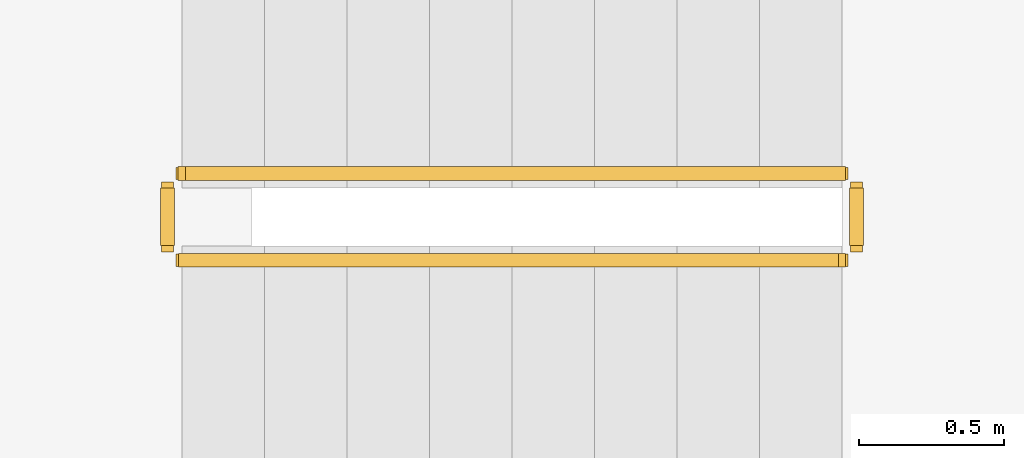
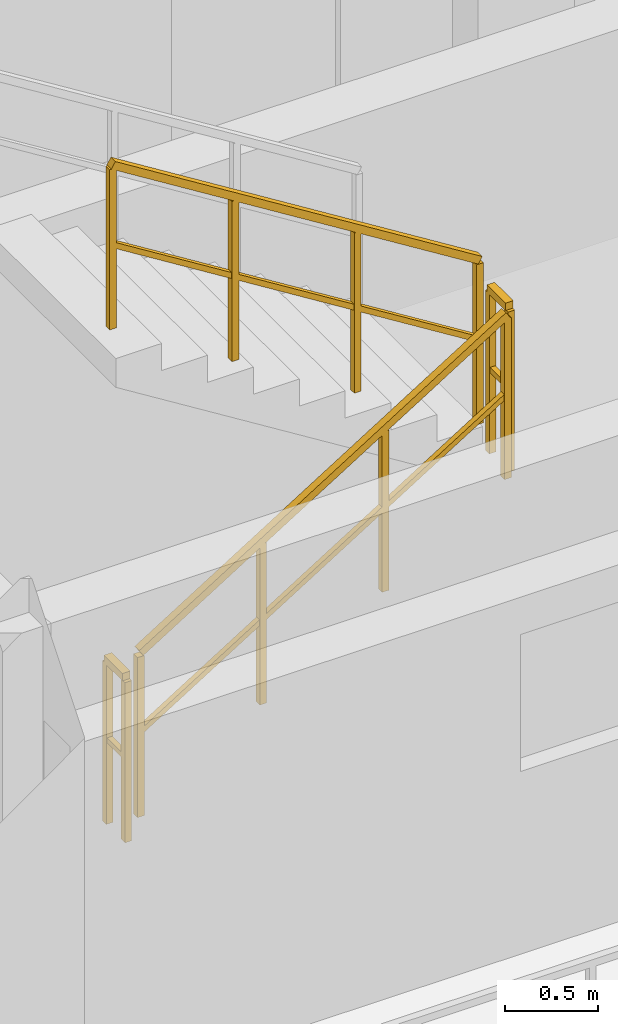
# One storey, part 155 of 157: 4 railings.
"""IFC4 building model written with IfcOpenShell, lengths in metres."""

from ifc_helpers import new_model, si_unit, direction, frame, origin, origin_2d, place, context, subcontext, project, spatial, rectangle, extrude, material, type_object, element, save


model = new_model("IFC4")

# Units and contexts
model_context = context("Model", 3, precision=1e-05, world=origin(), true_north=direction((0.0, 1.0)))
body_context = subcontext(model_context, "Body", "Model", "MODEL_VIEW")
ifc_project = project(units=[si_unit("LENGTHUNIT", "METRE"), si_unit("AREAUNIT", "SQUARE_METRE"), si_unit("VOLUMEUNIT", "CUBIC_METRE"), si_unit("PLANEANGLEUNIT", "RADIAN"), si_unit("MASSUNIT", "GRAM", prefix="KILO")], contexts=[model_context])

# Site, building, storey
site_placement = place(None, origin())
site = spatial("IfcSite", under=ifc_project, at=site_placement, CompositionType="ELEMENT")
building_placement = place(site_placement, origin())
building = spatial("IfcBuilding", under=site, at=building_placement, Name="Suanplinth Sawtooth Commons", CompositionType="ELEMENT")
storey_placement = place(building_placement, frame((0.0, 0.0, 9.0)))
storey = spatial("IfcBuildingStorey", under=building, at=storey_placement, Name="L02", CompositionType="ELEMENT", Elevation=9.0)

# Railings
ifc_material = material(Name="Stainless steel Grade 304", Category="steel")
railing_type = type_object("IfcRailingType", Name="GR-04", PredefinedType="GUARDRAIL", material=ifc_material)
railing_1_placement = place(storey_placement, frame((138.64990234375, 109.800048828125, 0.177734375)))
element("IfcRailing", 1, at=railing_1_placement, inside=storey, type_object=railing_type, Name="L02 ST-E1 Guard 1", PredefinedType="GUARDRAIL", context=body_context, shape_type="SweptSolid", body=[
    extrude(rectangle(XDim=0.048095703125, YDim=0.048095703125, at=origin_2d()), frame((0.0, 0.0, 1.076171875), z_axis=(0.848442045328, 0.0, 0.529288291689), x_axis=(0.0, 1.0, 0.0)), (0.0, 0.0, 1.0), 2.687255859375),
    extrude(rectangle(XDim=0.03369140625, YDim=0.03369140625, at=origin_2d()), frame((0.0, 0.0, 0.550048828125), z_axis=(0.848442045328, 0.0, 0.529288291689), x_axis=(0.0, 1.0, 0.0)), (0.0, 0.0, 1.0), 2.687255859375),
    extrude(rectangle(XDim=0.0419921875, YDim=0.0419921875, at=origin_2d()), origin(), (0.0, 0.0, 1.0), 1.052001953125),
    extrude(rectangle(XDim=0.0419921875, YDim=0.0419921875, at=origin_2d()), frame((0.760009765625, 0.0, 0.47412109375)), (0.0, 0.0, 1.0), 1.052001953125),
    extrude(rectangle(XDim=0.0419921875, YDim=0.0419921875, at=origin_2d()), frame((1.52001953125, 0.0, 0.9482421875)), (0.0, 0.0, 1.0), 1.052001953125),
    extrude(rectangle(XDim=0.0419921875, YDim=0.0419921875, at=origin_2d()), frame((2.280029296875, 0.0, 1.42236328125)), (0.0, 0.0, 1.0), 1.052001953125),
])
railing_2_placement = place(storey_placement, frame((140.97998046875, 109.85009765625, 1.60009765625)))
element("IfcRailing", 2, at=railing_2_placement, inside=storey, type_object=railing_type, Name="L02 ST-E1 Guard 2", PredefinedType="GUARDRAIL", context=body_context, shape_type="SweptSolid", body=[
    extrude(rectangle(XDim=0.048095703125, YDim=0.048095703125, at=origin_2d()), frame((0.0, 0.0, 1.076171875), z_axis=(0.0, 1.0, 0.0), x_axis=(-1.0, 0.0, 0.0)), (0.0, 0.0, 1.0), 0.199951171875),
    extrude(rectangle(XDim=0.03369140625, YDim=0.03369140625, at=origin_2d()), frame((0.0, 0.0, 0.550048828125), z_axis=(0.0, 1.0, 0.0), x_axis=(-1.0, 0.0, 0.0)), (0.0, 0.0, 1.0), 0.199951171875),
    extrude(rectangle(XDim=0.0419921875, YDim=0.0419921875, at=origin_2d()), origin(), (0.0, 0.0, 1.0), 1.052001953125),
    extrude(rectangle(XDim=0.0419921875, YDim=0.0419921875, at=origin_2d()), frame((0.0, 0.199951171875, 0.0)), (0.0, 0.0, 1.0), 1.052001953125),
])
railing_3_placement = place(storey_placement, frame((140.929931640625, 110.10009765625, 1.77783203125)))
element("IfcRailing", 3, at=railing_3_placement, inside=storey, type_object=railing_type, Name="L02 ST-E1 Guard 3", PredefinedType="GUARDRAIL", context=body_context, shape_type="SweptSolid", body=[
    extrude(rectangle(XDim=0.048095703125, YDim=0.048095703125, at=origin_2d()), frame((0.0, 0.0, 1.076171875), z_axis=(-0.848482842525, 0.0, 0.529222888715), x_axis=(0.0, -1.0, 0.0)), (0.0, 0.0, 1.0), 2.687255859375),
    extrude(rectangle(XDim=0.03369140625, YDim=0.03369140625, at=origin_2d()), frame((0.0, 0.0, 0.550048828125), z_axis=(-0.848482842525, 0.0, 0.529222888715), x_axis=(0.0, -1.0, 0.0)), (0.0, 0.0, 1.0), 2.687255859375),
    extrude(rectangle(XDim=0.0419921875, YDim=0.0419921875, at=origin_2d()), origin(), (0.0, 0.0, 1.0), 1.052001953125),
    extrude(rectangle(XDim=0.0419921875, YDim=0.0419921875, at=origin_2d()), frame((-0.760009765625, 0.0, 0.47412109375)), (0.0, 0.0, 1.0), 1.052001953125),
    extrude(rectangle(XDim=0.0419921875, YDim=0.0419921875, at=origin_2d()), frame((-1.52001953125, 0.0, 0.947998046875)), (0.0, 0.0, 1.0), 1.052001953125),
    extrude(rectangle(XDim=0.0419921875, YDim=0.0419921875, at=origin_2d()), frame((-2.280029296875, 0.0, 1.422119140625)), (0.0, 0.0, 1.0), 1.052001953125),
])
railing_4_placement = place(storey_placement, frame((138.60009765625, 109.85009765625, 0.0)))
element("IfcRailing", 4, at=railing_4_placement, inside=storey, type_object=railing_type, Name="L02 ST-E1 Guard 4", PredefinedType="GUARDRAIL", context=body_context, shape_type="SweptSolid", body=[
    extrude(rectangle(XDim=0.048095703125, YDim=0.048095703125, at=origin_2d()), frame((0.0, 0.0, 1.076171875), z_axis=(0.0, 1.0, 0.0), x_axis=(-1.0, 0.0, 0.0)), (0.0, 0.0, 1.0), 0.199951171875),
    extrude(rectangle(XDim=0.03369140625, YDim=0.03369140625, at=origin_2d()), frame((0.0, 0.0, 0.550048828125), z_axis=(0.0, 1.0, 0.0), x_axis=(-1.0, 0.0, 0.0)), (0.0, 0.0, 1.0), 0.199951171875),
    extrude(rectangle(XDim=0.0419921875, YDim=0.0419921875, at=origin_2d()), origin(), (0.0, 0.0, 1.0), 1.052001953125),
    extrude(rectangle(XDim=0.0419921875, YDim=0.0419921875, at=origin_2d()), frame((0.0, 0.199951171875, 0.0)), (0.0, 0.0, 1.0), 1.052001953125),
])

save(model, "model.ifc")
